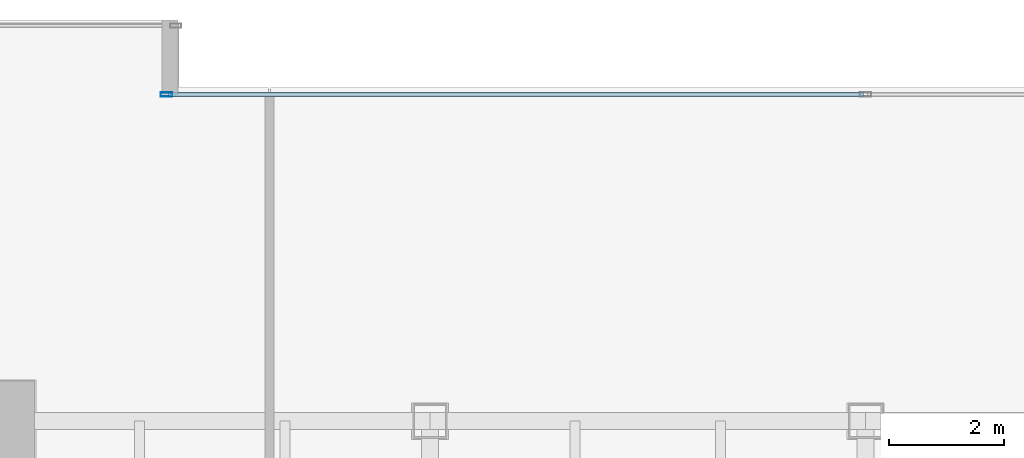
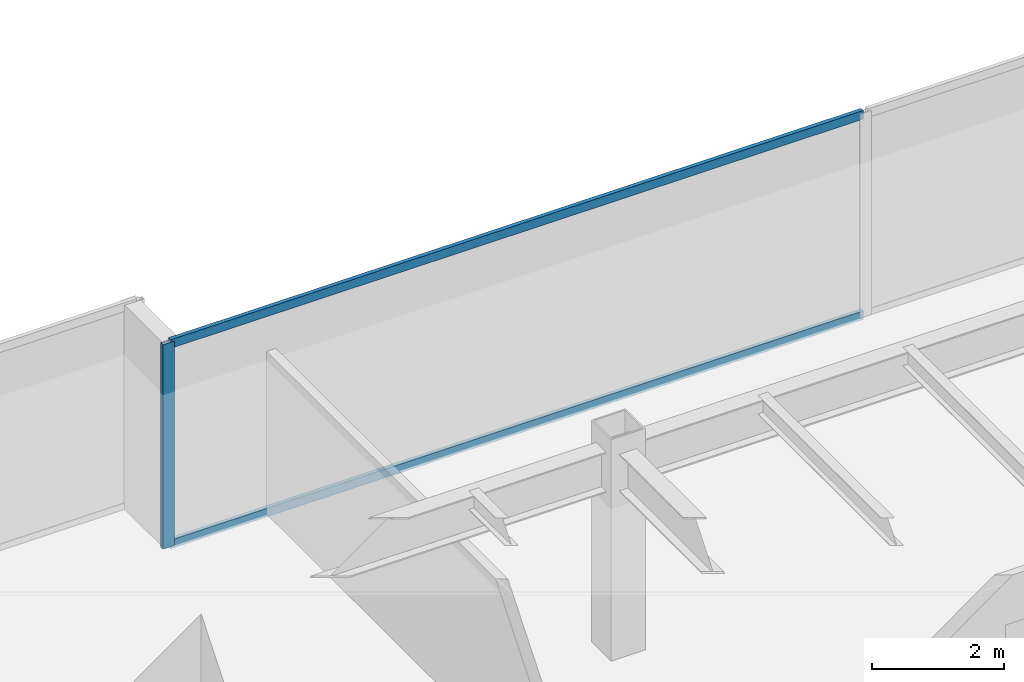
# One storey, part 14 of 36: 3 members, 1 element without a shape of its own.
"""IFC4 building model written with IfcOpenShell, lengths in metres."""

from ifc_helpers import new_model, si_unit, direction, frame, origin, origin_2d, place, context, subcontext, project, spatial, hollow_rectangle, extrude, source, transform, mapped, material, layer, layer_set, material_profile, profile_set, type_object, type_shapes, element, aggregate, save


model = new_model("IFC4")

# Units and contexts
model_context = context("Model", 3, precision=1e-05, world=origin(), true_north=direction((0.0, 1.0)))
body_context = subcontext(model_context, "Body", "Model", "MODEL_VIEW")
ifc_project = project(units=[si_unit("LENGTHUNIT", "METRE"), si_unit("AREAUNIT", "SQUARE_METRE"), si_unit("VOLUMEUNIT", "CUBIC_METRE"), si_unit("PLANEANGLEUNIT", "RADIAN"), si_unit("MASSUNIT", "GRAM", prefix="KILO")], contexts=[model_context])

# Site, building, storey
site_placement = place(None, origin())
site = spatial("IfcSite", under=ifc_project, at=site_placement, CompositionType="ELEMENT")
building_placement = place(site_placement, origin())
building = spatial("IfcBuilding", under=site, at=building_placement, Name="Haelvirn Gate Laboratories", CompositionType="ELEMENT")
storey_placement = place(building_placement, frame((0.0, 0.0, 53.89990234375)))
storey = spatial("IfcBuildingStorey", under=building, at=storey_placement, Name="L13", CompositionType="ELEMENT", Elevation=53.89990234375)

# Curtain wall, members
ifc_material_1 = material(Name="Anodised bronze unitised aluminium & triple low-E glass", Category="aluminium")
ifc_layer = layer(ifc_material_1, 0.18408203125, Name="CW-SYS-2")
ifc_layer_set = layer_set([ifc_layer], Name="Anodised bronze unitised aluminium & triple low-E glass")
curtain_wall_type = type_object("IfcCurtainWallType", Name="CW-SYS-2", PredefinedType="NOTDEFINED", material=ifc_layer_set)
curtain_wall_placement = place(storey_placement, origin())
curtain_wall = element("IfcCurtainWall", 1, at=curtain_wall_placement, inside=storey, type_object=curtain_wall_type, Name="L13 Unitised Curtain Wall CW-L13-P0-E12-1", PredefinedType="NOTDEFINED")
ifc_material_2 = material(Name="Extruded aluminium 6063-T6 (anodised bronze)", Category="aluminium")
ifc_material_profile_1 = material_profile(ifc_material_2, hollow_rectangle(XDim=0.074951171875, YDim=0.199951171875, WallThickness=0.0048828125, at=origin_2d()), Name="CWM-200x75x5")
ifc_profile_set_1 = profile_set([ifc_material_profile_1], Name="Extruded aluminium 6063-T6 (anodised bronze)")
member_type_1 = type_object("IfcMemberType", Name="CWM-T200", PredefinedType="MULLION", material=ifc_profile_set_1)
shared_shape_1 = source(origin(), body_context, "Body", "SweptSolid", [
    extrude(hollow_rectangle(XDim=0.074951171875, YDim=0.199951171875, WallThickness=0.0048828125, at=origin_2d()), origin(), (0.0, 0.0, 1.0), 3.780029296875),
])
type_shapes(member_type_1, [shared_shape_1])
member_1_placement = place(storey_placement, frame((25.197509765625, 47.300048828125, 0.0), z_axis=(0.0, 0.0, 1.0), x_axis=(0.0, 1.0, 0.0)))
member_1 = element("IfcMember", 2, at=member_1_placement, type_object=member_type_1, Name="CW2 mullion 1", PredefinedType="MULLION", context=body_context, shape_type="MappedRepresentation", body=[
    mapped(shared_shape_1, transform((0.0, 0.0, 0.0), scale=1.0)),
])
ifc_material_profile_2 = material_profile(ifc_material_2, hollow_rectangle(XDim=0.070068359375, YDim=0.159912109375, WallThickness=0.0048828125, at=origin_2d()), Name="CWT-160x70x5")
ifc_profile_set_2 = profile_set([ifc_material_profile_2], Name="Extruded aluminium 6063-T6 (anodised bronze)")
member_type_2 = type_object("IfcMemberType", Name="CWT-T160", PredefinedType="USERDEFINED", material=ifc_profile_set_2)
shared_shape_2 = source(origin(), body_context, "Body", "SweptSolid", [
    extrude(hollow_rectangle(XDim=0.070068359375, YDim=0.159912109375, WallThickness=0.0048828125, at=origin_2d()), origin(), (0.0, 0.0, 1.0), 12.12744140625),
])
type_shapes(member_type_2, [shared_shape_2])
member_2_placement = place(storey_placement, frame((25.235107421875, 47.300048828125, 0.03515625), z_axis=(1.0, 0.0, 0.0), x_axis=(0.0, 1.0, 0.0)))
member_2 = element("IfcMember", 3, at=member_2_placement, type_object=member_type_2, Name="CW2 transom 1.1", ObjectType="TRANSOM", PredefinedType="USERDEFINED", context=body_context, shape_type="MappedRepresentation", body=[
    mapped(shared_shape_2, transform((0.0, 0.0, 0.0), scale=1.0)),
])
member_3_placement = place(storey_placement, frame((25.235107421875, 47.300048828125, 3.7451171875), z_axis=(1.0, 0.0, 0.0), x_axis=(0.0, 1.0, 0.0)))
member_3 = element("IfcMember", 4, at=member_3_placement, type_object=member_type_2, Name="CW2 transom 1.2", ObjectType="TRANSOM", PredefinedType="USERDEFINED", context=body_context, shape_type="MappedRepresentation", body=[
    mapped(shared_shape_2, transform((0.0, 0.0, 0.0), scale=1.0)),
])
aggregate(curtain_wall, [member_1, member_2, member_3])

save(model, "model.ifc")
